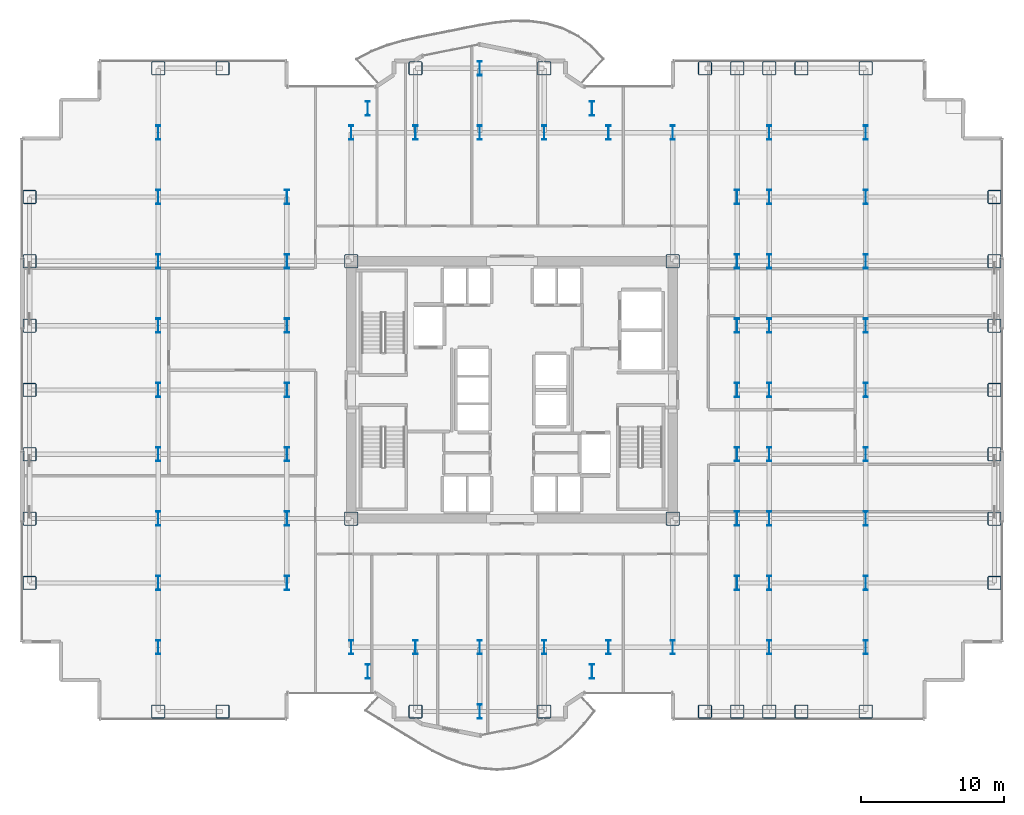
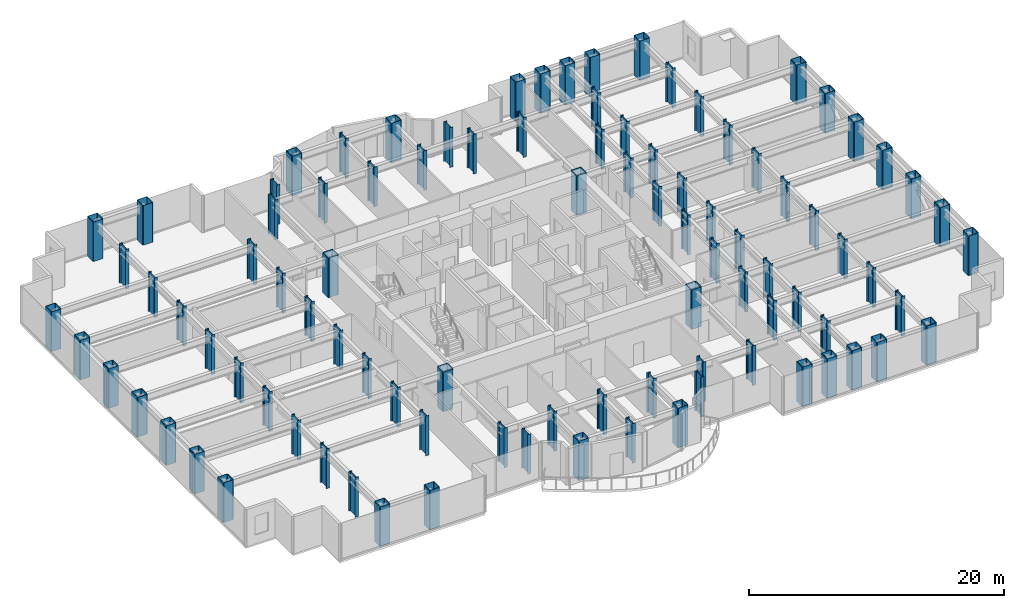
# One storey, part 1 of 29: 95 columns.
"""IFC4 building model written with IfcOpenShell, lengths in metres."""

import ifcopenshell
import ifcopenshell.guid

model = None  # the IFC model being written
_history = None  # IfcOwnerHistory: only IFC2X3 demands one
_inside = {}  # id of a spatial element -> (the spatial element, [elements in it])
_under = {}  # id of a project, library or spatial element -> (it, [spatial elements below it])
_declared = {}  # id of a project -> (the project, [libraries it declares])
_typed = {}  # id of a type object -> (the type object, [elements of that type])
_made_of = {}  # id of a material, layer set ... -> (it, [elements and type objects made of it])


def new_model(schema):
    """Start an empty IFC model of exactly this schema.

    Asked for "IFC4X3", IfcOpenShell would pick the latest addendum, in which some entities
    have other attributes; the version numbers below select the first issue.
    IFC2X3 requires an IfcOwnerHistory on every rooted entity: one is made here for all.
    """
    global model, _history
    if schema == "IFC4X3":
        model = ifcopenshell.file(schema_version=(4, 3, 0, 0))
    else:
        model = ifcopenshell.file(schema=schema)
    _inside.clear()
    _under.clear()
    _declared.clear()
    _typed.clear()
    _made_of.clear()
    _history = None
    if model.schema == "IFC2X3":
        org = make("IfcOrganization", Name="unknown")
        user = make(
            "IfcPersonAndOrganization",
            ThePerson=make("IfcPerson", FamilyName="unknown"),
            TheOrganization=org,
        )
        app = make(
            "IfcApplication",
            ApplicationDeveloper=org,
            Version="unknown",
            ApplicationFullName="unknown",
            ApplicationIdentifier="unknown",
        )
        _history = make(
            "IfcOwnerHistory",
            OwningUser=user,
            OwningApplication=app,
            ChangeAction="ADDED",
            CreationDate=0,
        )
    return model


def make(cls, **values):
    """One entity of the class cls with the attributes given. An attribute that is None is left unset."""
    return model.create_entity(
        cls, **{name: value for name, value in values.items() if value is not None}
    )


def rooted(cls, **values):
    """An entity with a GlobalId (a new one), such as an element, a storey or a relation."""
    return make(cls, GlobalId=ifcopenshell.guid.new(), OwnerHistory=_history, **values)


def si_unit(unit_type, name, prefix=None):
    """IfcSIUnit, for example si_unit("LENGTHUNIT", "METRE", prefix="MILLI")."""
    return make("IfcSIUnit", UnitType=unit_type, Prefix=prefix, Name=name)


def assignment(units):
    """IfcUnitAssignment: the units of a project."""
    return None if units is None else make("IfcUnitAssignment", Units=units)


def point(xyz):
    """IfcCartesianPoint."""
    return None if xyz is None else make("IfcCartesianPoint", Coordinates=xyz)


def direction(xyz):
    """IfcDirection."""
    return None if xyz is None else make("IfcDirection", DirectionRatios=xyz)


def frame(location, z_axis=None, x_axis=None):
    """IfcAxis2Placement3D, a coordinate frame: its origin and axes. An axis left out is left unset."""
    return make(
        "IfcAxis2Placement3D",
        Location=point(location),
        Axis=direction(z_axis),
        RefDirection=direction(x_axis),
    )


def frame_2d(location, x_axis=None):
    """IfcAxis2Placement2D, a coordinate frame in the plane: its origin and x axis."""
    return make(
        "IfcAxis2Placement2D", Location=point(location), RefDirection=direction(x_axis)
    )


def origin():
    """The frame at (0, 0, 0) with its axes left unset."""
    return frame((0.0, 0.0, 0.0))


def origin_2d():
    """The frame at (0, 0) in the plane with its x axis left unset."""
    return frame_2d((0.0, 0.0))


def place(relative_to, where):
    """IfcLocalPlacement: puts the frame where relative to a parent placement (None: the world)."""
    return make(
        "IfcLocalPlacement", PlacementRelTo=relative_to, RelativePlacement=where
    )


def context(
    kind, dimensions, precision=None, world=None, true_north=None, identifier=None
):
    """IfcGeometricRepresentationContext, for example the 3D "Model" context."""
    return make(
        "IfcGeometricRepresentationContext",
        ContextIdentifier=identifier,
        ContextType=kind,
        CoordinateSpaceDimension=dimensions,
        Precision=precision,
        WorldCoordinateSystem=world,
        TrueNorth=true_north,
    )


def subcontext(parent, identifier, kind, view, scale=None):
    """IfcGeometricRepresentationSubContext, for example "Body" below "Model"."""
    return make(
        "IfcGeometricRepresentationSubContext",
        ContextIdentifier=identifier,
        ContextType=kind,
        ParentContext=parent,
        TargetScale=scale,
        TargetView=view,
    )


def project(units=None, contexts=None):
    """IfcProject with its units and contexts."""
    return rooted(
        "IfcProject",
        Name="project",
        RepresentationContexts=contexts,
        UnitsInContext=assignment(units),
    )


def spatial(cls, under=None, at=None, **own):
    """A site, building, storey or space (cls), placed at a placement, below another one or the project."""
    s = rooted(cls, ObjectPlacement=at, **own)
    if under is not None:
        _under.setdefault(under.id(), (under, []))[1].append(s)
    return s


def profile(cls, at=None, kind="AREA", **sizes):
    """A parametric profile (cls). Its sizes go by their IFC names, for example OverallWidth=200.0."""
    return make(cls, ProfileType=kind, Position=at, **sizes)


def hollow_rectangle(**sizes):
    """IfcRectangleHollowProfileDef."""
    return profile("IfcRectangleHollowProfileDef", **sizes)


def i_section(**sizes):
    """IfcIShapeProfileDef."""
    return profile("IfcIShapeProfileDef", **sizes)


def extrude(swept, where, along, depth):
    """IfcExtrudedAreaSolid: the profile swept, set in the frame where, extruded along a direction by depth."""
    return make(
        "IfcExtrudedAreaSolid",
        SweptArea=swept,
        Position=where,
        ExtrudedDirection=direction(along),
        Depth=depth,
    )


def shape(context_of_items, identifier, shape_type, items):
    """IfcShapeRepresentation: the items that make up one representation, for example the "Body"."""
    return make(
        "IfcShapeRepresentation",
        ContextOfItems=context_of_items,
        RepresentationIdentifier=identifier,
        RepresentationType=shape_type,
        Items=items,
    )


def source(mapping_origin, context_of_items, identifier, shape_type, items):
    """IfcRepresentationMap: a shape defined once, which mapped items show again and again."""
    return make(
        "IfcRepresentationMap",
        MappingOrigin=mapping_origin,
        MappedRepresentation=shape(context_of_items, identifier, shape_type, items),
    )


def transform(
    local_origin,
    x_axis=None,
    y_axis=None,
    z_axis=None,
    scale=None,
    scale2=None,
    scale3=None,
    uniform=True,
):
    """IfcCartesianTransformationOperator3D, or its non-uniform kind. x_axis, y_axis, z_axis: its Axis1, 2, 3."""
    if uniform:
        return make(
            "IfcCartesianTransformationOperator3D",
            Axis1=direction(x_axis),
            Axis2=direction(y_axis),
            LocalOrigin=point(local_origin),
            Scale=scale,
            Axis3=direction(z_axis),
        )
    return make(
        "IfcCartesianTransformationOperator3DnonUniform",
        Axis1=direction(x_axis),
        Axis2=direction(y_axis),
        LocalOrigin=point(local_origin),
        Scale=scale,
        Axis3=direction(z_axis),
        Scale2=scale2,
        Scale3=scale3,
    )


def mapped(mapping_source, mapping_target):
    """IfcMappedItem: shows the shape of a source again, moved by a transform."""
    return make(
        "IfcMappedItem", MappingSource=mapping_source, MappingTarget=mapping_target
    )


def material(Name=None, Category=None):
    """IfcMaterial."""
    return make("IfcMaterial", Name=Name, Category=Category)


def material_profile(
    of_material, cross_section, Name=None, Category=None, Priority=None
):
    """IfcMaterialProfile: a cross section and its material."""
    return make(
        "IfcMaterialProfile",
        Name=Name,
        Material=of_material,
        Profile=cross_section,
        Priority=Priority,
        Category=Category,
    )


def profile_set(profiles, Name=None, composite=None):
    """IfcMaterialProfileSet."""
    return make(
        "IfcMaterialProfileSet",
        Name=Name,
        MaterialProfiles=profiles,
        CompositeProfile=composite,
    )


def made_of(thing, what):
    """Note that an element or type object is made of a material, layer set ...; save() writes the relation."""
    if what is not None:
        _made_of.setdefault(what.id(), (what, []))[1].append(thing)
    return thing


def type_object(cls, material=None, **own):
    """A type object (cls), such as IfcWallType, which elements share."""
    return made_of(rooted(cls, **own), material)


def element(
    cls,
    number,
    at=None,
    inside=None,
    cuts=None,
    type_object=None,
    material=None,
    context=None,
    identifier="Body",
    shape_type=None,
    held_by="IfcProductDefinitionShape",
    body=None,
    shapes=None,
    **own,
):
    """One element of the class cls, such as IfcWall. Its Tag is "e" and its number.

    at: its placement. inside: the storey or other place that contains it. cuts: it is an
    opening in that element (IfcRelVoidsElement). A single representation is given by context,
    identifier, shape_type and body (its items); several are given by shapes. held_by: the class
    of the entity that holds the representations. save() writes the other relations.
    """
    e = rooted(cls, Tag="e%d" % number, ObjectPlacement=at, **own)
    if body is not None:
        shapes = [shape(context, identifier, shape_type, body)]
    if shapes is not None:
        e.Representation = make(held_by, Representations=shapes)
    if inside is not None:
        _inside.setdefault(inside.id(), (inside, []))[1].append(e)
    if cuts is not None:
        rooted(
            "IfcRelVoidsElement", RelatingBuildingElement=cuts, RelatedOpeningElement=e
        )
    if type_object is not None:
        _typed.setdefault(type_object.id(), (type_object, []))[1].append(e)
    return made_of(e, material)


def aggregate(whole, parts):
    """IfcRelAggregates: a whole, such as a stair, and the parts it consists of."""
    return rooted("IfcRelAggregates", RelatingObject=whole, RelatedObjects=parts)


def save(model, path):
    """Write the relations noted so far, then the file.

    IfcRelAggregates (storeys below a building ...), IfcRelContainedInSpatialStructure (elements
    in a storey), IfcRelDefinesByType, IfcRelAssociatesMaterial and IfcRelDeclares: one each for
    every whole, place, type object, material and project.
    """
    for whole, parts in _under.values():
        aggregate(whole, parts)
    for where, things in _inside.values():
        rooted(
            "IfcRelContainedInSpatialStructure",
            RelatedElements=things,
            RelatingStructure=where,
        )
    for kind, things in _typed.values():
        rooted("IfcRelDefinesByType", RelatedObjects=things, RelatingType=kind)
    for what, things in _made_of.values():
        rooted("IfcRelAssociatesMaterial", RelatedObjects=things, RelatingMaterial=what)
    for by, libraries in _declared.values():
        rooted("IfcRelDeclares", RelatingContext=by, RelatedDefinitions=libraries)
    model.write(path)


model = new_model("IFC4")

# Units and contexts
model_context = context("Model", 3, precision=1e-05, world=origin(), true_north=direction((0.0, 1.0)))
body_context = subcontext(model_context, "Body", "Model", "MODEL_VIEW")
ifc_project = project(units=[si_unit("LENGTHUNIT", "METRE"), si_unit("AREAUNIT", "SQUARE_METRE"), si_unit("VOLUMEUNIT", "CUBIC_METRE"), si_unit("PLANEANGLEUNIT", "RADIAN"), si_unit("MASSUNIT", "GRAM", prefix="KILO")], contexts=[model_context])

# Site, building, storey
site_placement = place(None, origin())
site = spatial("IfcSite", under=ifc_project, at=site_placement, CompositionType="ELEMENT")
building_placement = place(site_placement, origin())
building = spatial("IfcBuilding", under=site, at=building_placement, Name="Nefas-Gora Pilgrimage Tower", CompositionType="ELEMENT")
storey_placement = place(building_placement, frame((0.0, 0.0, 55.800048828125)))
storey = spatial("IfcBuildingStorey", under=building, at=storey_placement, Name="L12", CompositionType="ELEMENT", Elevation=55.800048828125)

# Columns
ifc_material = material(Name="Steel S460", Category="steel")
ifc_material_profile_1 = material_profile(ifc_material, hollow_rectangle(XDim=0.949951171875, YDim=0.949951171875, WallThickness=0.044921875, InnerFilletRadius=0.044921875, OuterFilletRadius=0.090087890625, at=origin_2d()), Name="BOX 950x950x45")
ifc_profile_set_1 = profile_set([ifc_material_profile_1], Name="Steel S460")
column_type_1 = type_object("IfcColumnType", Name="COL-TUBE-950", PredefinedType="COLUMN", material=ifc_profile_set_1)
shared_shape_1 = source(origin(), body_context, "Body", "SweptSolid", [
    extrude(hollow_rectangle(XDim=0.949951171875, YDim=0.949951171875, WallThickness=0.044921875, InnerFilletRadius=0.044921875, OuterFilletRadius=0.090087890625, at=origin_2d()), origin(), (0.0, 0.0, 1.0), 3.800048828125),
])
for number, where, z_axis, x_axis, name in (
    (1, (-33.75, -13.5, 0.0), (0.0, 0.0, 1.0), (1.0, 0.0, 0.0), "L12 Tower Column C-Z1.1"),
    (2, (-33.75, -9.0, 0.0), (0.0, 0.0, 1.0), (1.0, 0.0, 0.0), "L12 Tower Column C-Z1.2"),
    (3, (-33.75, -4.5, 0.0), (0.0, 0.0, 1.0), (1.0, 0.0, 0.0), "L12 Tower Column C-Z1.3"),
    (4, (-33.75, 0.0, 0.0), (0.0, 0.0, 1.0), (1.0, 0.0, 0.0), "L12 Tower Column C-Z1.4"),
    (5, (-33.75, 4.5, 0.0), (0.0, 0.0, 1.0), (1.0, 0.0, 0.0), "L12 Tower Column C-Z1.5"),
    (6, (-33.75, 9.0, 0.0), (0.0, 0.0, 1.0), (1.0, 0.0, 0.0), "L12 Tower Column C-Z1.6"),
    (7, (-33.75, 13.5, 0.0), (0.0, 0.0, 1.0), (1.0, 0.0, 0.0), "L12 Tower Column C-Z1.7"),
    (8, (-24.75, -22.5, 0.0), (0.0, 0.0, 1.0), (1.0, 0.0, 0.0), "L12 Tower Column C-Z1.8"),
    (9, (-24.75, 22.5, 0.0), (0.0, 0.0, 1.0), (1.0, 0.0, 0.0), "L12 Tower Column C-Z1.18"),
    (10, (-20.25, -22.5, 0.0), (0.0, 0.0, 1.0), (1.0, 0.0, 0.0), "L12 Tower Column C-Z1.19"),
    (11, (-20.25, 22.5, 0.0), (0.0, 0.0, 1.0), (1.0, 0.0, 0.0), "L12 Tower Column C-Z1.20"),
    (12, (-6.75, -22.5, 0.0), (0.0, 0.0, 1.0), (1.0, 0.0, 0.0), "L12 Tower Column C-Z1.34"),
    (13, (-6.75, 22.5, 0.0), (0.0, 0.0, 1.0), (1.0, 0.0, 0.0), "L12 Tower Column C-Z1.37"),
    (14, (2.25, -22.5, 0.0), (0.0, 0.0, 1.0), (1.0, 0.0, 0.0), "L12 Tower Column C-Z1.42"),
    (15, (2.25, 22.5, 0.0), (0.0, 0.0, 1.0), (1.0, 0.0, 0.0), "L12 Tower Column C-Z1.45"),
    (16, (13.5, -22.5, 0.0), (0.0, 0.0, 1.0), (1.0, 0.0, 0.0), "L12 Tower Column C-Z1.54"),
    (17, (13.5, 22.5, 0.0), (0.0, 0.0, 1.0), (1.0, 0.0, 0.0), "L12 Tower Column C-Z1.55"),
    (18, (15.75, -22.5, 0.0), (0.0, 0.0, 1.0), (1.0, 0.0, 0.0), "L12 Tower Column C-Z1.56"),
    (19, (15.75, 22.5, 0.0), (0.0, 0.0, 1.0), (1.0, 0.0, 0.0), "L12 Tower Column C-Z1.64"),
    (20, (18.0, -22.5, 0.0), (0.0, 0.0, 1.0), (1.0, 0.0, 0.0), "L12 Tower Column C-Z1.65"),
    (21, (18.0, 22.5, 0.0), (0.0, 0.0, 1.0), (1.0, 0.0, 0.0), "L12 Tower Column C-Z1.75"),
    (22, (20.25, -22.5, 0.0), (0.0, 0.0, 1.0), (1.0, 0.0, 0.0), "L12 Tower Column C-Z1.76"),
    (23, (20.25, 22.5, 0.0), (0.0, 0.0, 1.0), (1.0, 0.0, 0.0), "L12 Tower Column C-Z1.77"),
    (24, (24.75, -22.5, 0.0), (0.0, 0.0, 1.0), (1.0, 0.0, 0.0), "L12 Tower Column C-Z1.78"),
    (25, (24.75, 22.5, 0.0), (0.0, 0.0, 1.0), (1.0, 0.0, 0.0), "L12 Tower Column C-Z1.88"),
    (26, (33.75, -13.5, 0.0), (0.0, 0.0, 1.0), (1.0, 0.0, 0.0), "L12 Tower Column C-Z1.89"),
    (27, (33.75, -9.0, 0.0), (0.0, 0.0, 1.0), (1.0, 0.0, 0.0), "L12 Tower Column C-Z1.90"),
    (28, (33.75, -4.5, 0.0), (0.0, 0.0, 1.0), (1.0, 0.0, 0.0), "L12 Tower Column C-Z1.91"),
    (29, (33.75, 0.0, 0.0), (0.0, 0.0, 1.0), (1.0, 0.0, 0.0), "L12 Tower Column C-Z1.92"),
    (30, (33.75, 4.5, 0.0), (0.0, 0.0, 1.0), (1.0, 0.0, 0.0), "L12 Tower Column C-Z1.93"),
    (31, (33.75, 9.0, 0.0), (0.0, 0.0, 1.0), (1.0, 0.0, 0.0), "L12 Tower Column C-Z1.94"),
    (32, (33.75, 13.5, 0.0), (0.0, 0.0, 1.0), (1.0, 0.0, 0.0), "L12 Tower Column C-Z1.95"),
):
    element("IfcColumn", number, at=place(storey_placement, frame(where, z_axis=z_axis, x_axis=x_axis)), inside=storey, type_object=column_type_1, Name=name, PredefinedType="COLUMN", context=body_context, shape_type="MappedRepresentation", body=[
        mapped(shared_shape_1, transform((0.0, 0.0, 0.0), x_axis=(1.0, 0.0, 0.0), y_axis=(0.0, 1.0, 0.0), z_axis=(0.0, 0.0, 1.0), scale=1.0)),
    ])
ifc_material_profile_2 = material_profile(ifc_material, i_section(OverallWidth=0.302001953125, OverallDepth=1.008056640625, WebThickness=0.02099609375, FlangeThickness=0.0400390625, FilletRadius=0.030029296875, at=origin_2d()), Name="HEM 1000")
ifc_profile_set_2 = profile_set([ifc_material_profile_2], Name="Steel S460")
column_type_2 = type_object("IfcColumnType", Name="COL-WEB-HEM1000", PredefinedType="COLUMN", material=ifc_profile_set_2)
shared_shape_2 = source(origin(), body_context, "Body", "SweptSolid", [
    extrude(i_section(OverallWidth=0.302001953125, OverallDepth=1.008056640625, WebThickness=0.02099609375, FlangeThickness=0.0400390625, FilletRadius=0.030029296875, at=origin_2d()), origin(), (0.0, 0.0, 1.0), 3.800048828125),
])
for number, where, z_axis, x_axis, name in (
    (33, (-24.75, -18.0, 0.0), (0.0, 0.0, 1.0), (1.0, 0.0, 0.0), "L12 Tower Column CW-01.9"),
    (34, (-24.75, -13.5, 0.0), (0.0, 0.0, 1.0), (1.0, 0.0, 0.0), "L12 Tower Column CW-01.10"),
    (35, (-24.75, -9.0, 0.0), (0.0, 0.0, 1.0), (1.0, 0.0, 0.0), "L12 Tower Column CW-01.11"),
    (36, (-24.75, -4.5, 0.0), (0.0, 0.0, 1.0), (1.0, 0.0, 0.0), "L12 Tower Column CW-01.12"),
    (37, (-24.75, 0.0, 0.0), (0.0, 0.0, 1.0), (1.0, 0.0, 0.0), "L12 Tower Column CW-01.13"),
    (38, (-24.75, 4.5, 0.0), (0.0, 0.0, 1.0), (1.0, 0.0, 0.0), "L12 Tower Column CW-01.14"),
    (39, (-24.75, 9.0, 0.0), (0.0, 0.0, 1.0), (1.0, 0.0, 0.0), "L12 Tower Column CW-01.15"),
    (40, (-24.75, 13.5, 0.0), (0.0, 0.0, 1.0), (1.0, 0.0, 0.0), "L12 Tower Column CW-01.16"),
    (41, (-24.75, 18.0, 0.0), (0.0, 0.0, 1.0), (1.0, 0.0, 0.0), "L12 Tower Column CW-01.17"),
    (42, (-15.75, -13.5, 0.0), (0.0, 0.0, 1.0), (1.0, 0.0, 0.0), "L12 Tower Column CW-01.21"),
    (43, (-15.75, -9.0, 0.0), (0.0, 0.0, 1.0), (1.0, 0.0, 0.0), "L12 Tower Column CW-01.22"),
    (44, (-15.75, -4.5, 0.0), (0.0, 0.0, 1.0), (1.0, 0.0, 0.0), "L12 Tower Column CW-01.23"),
    (45, (-15.75, 0.0, 0.0), (0.0, 0.0, 1.0), (1.0, 0.0, 0.0), "L12 Tower Column CW-01.24"),
    (46, (-15.75, 4.5, 0.0), (0.0, 0.0, 1.0), (1.0, 0.0, 0.0), "L12 Tower Column CW-01.25"),
    (47, (-15.75, 9.0, 0.0), (0.0, 0.0, 1.0), (1.0, 0.0, 0.0), "L12 Tower Column CW-01.26"),
    (48, (-15.75, 13.5, 0.0), (0.0, 0.0, 1.0), (1.0, 0.0, 0.0), "L12 Tower Column CW-01.27"),
    (49, (-11.25, -18.0, 0.0), (0.0, 0.0, 1.0), (1.0, 0.0, 0.0), "L12 Tower Column CW-01.28"),
    (50, (-11.25, 18.0, 0.0), (0.0, 0.0, 1.0), (1.0, 0.0, 0.0), "L12 Tower Column CW-01.31"),
    (51, (-10.091064453125, -19.696044921875, 0.0), (0.0, 0.0, 1.0), (1.0, 0.0, 0.0), "L12 Tower Column CW-01.32"),
    (52, (-10.091064453125, 19.696044921875, 0.0), (0.0, 0.0, 1.0), (1.0, 0.0, 0.0), "L12 Tower Column CW-01.33"),
    (53, (-6.75, -18.0, 0.0), (0.0, 0.0, 1.0), (1.0, 0.0, 0.0), "L12 Tower Column CW-01.35"),
    (54, (-6.75, 18.0, 0.0), (0.0, 0.0, 1.0), (1.0, 0.0, 0.0), "L12 Tower Column CW-01.36"),
    (55, (-2.25, -22.5, 0.0), (0.0, 0.0, 1.0), (1.0, 0.0, 0.0), "L12 Tower Column CW-01.38"),
    (56, (-2.25, -18.0, 0.0), (0.0, 0.0, 1.0), (1.0, 0.0, 0.0), "L12 Tower Column CW-01.39"),
    (57, (-2.25, 18.0, 0.0), (0.0, 0.0, 1.0), (1.0, 0.0, 0.0), "L12 Tower Column CW-01.40"),
    (58, (-2.25, 22.5, 0.0), (0.0, 0.0, 1.0), (1.0, 0.0, 0.0), "L12 Tower Column CW-01.41"),
    (59, (2.25, -18.0, 0.0), (0.0, 0.0, 1.0), (1.0, 0.0, 0.0), "L12 Tower Column CW-01.43"),
    (60, (2.25, 18.0, 0.0), (0.0, 0.0, 1.0), (1.0, 0.0, 0.0), "L12 Tower Column CW-01.44"),
    (61, (5.591064453125, -19.696044921875, 0.0), (0.0, 0.0, 1.0), (1.0, 0.0, 0.0), "L12 Tower Column CW-01.46"),
    (62, (5.591064453125, 19.696044921875, 0.0), (0.0, 0.0, 1.0), (1.0, 0.0, 0.0), "L12 Tower Column CW-01.47"),
    (63, (6.75, -18.0, 0.0), (0.0, 0.0, 1.0), (1.0, 0.0, 0.0), "L12 Tower Column CW-01.48"),
    (64, (6.75, 18.0, 0.0), (0.0, 0.0, 1.0), (1.0, 0.0, 0.0), "L12 Tower Column CW-01.49"),
    (65, (11.25, -18.0, 0.0), (0.0, 0.0, 1.0), (1.0, 0.0, 0.0), "L12 Tower Column CW-01.50"),
    (66, (11.25, 18.0, 0.0), (0.0, 0.0, 1.0), (1.0, 0.0, 0.0), "L12 Tower Column CW-01.53"),
    (67, (15.75, -13.5, 0.0), (0.0, 0.0, 1.0), (1.0, 0.0, 0.0), "L12 Tower Column CW-01.57"),
    (68, (15.75, -9.0, 0.0), (0.0, 0.0, 1.0), (1.0, 0.0, 0.0), "L12 Tower Column CW-01.58"),
    (69, (15.75, -4.5, 0.0), (0.0, 0.0, 1.0), (1.0, 0.0, 0.0), "L12 Tower Column CW-01.59"),
    (70, (15.75, 0.0, 0.0), (0.0, 0.0, 1.0), (1.0, 0.0, 0.0), "L12 Tower Column CW-01.60"),
    (71, (15.75, 4.5, 0.0), (0.0, 0.0, 1.0), (1.0, 0.0, 0.0), "L12 Tower Column CW-01.61"),
    (72, (15.75, 9.0, 0.0), (0.0, 0.0, 1.0), (1.0, 0.0, 0.0), "L12 Tower Column CW-01.62"),
    (73, (15.75, 13.5, 0.0), (0.0, 0.0, 1.0), (1.0, 0.0, 0.0), "L12 Tower Column CW-01.63"),
    (74, (18.0, -18.0, 0.0), (0.0, 0.0, 1.0), (1.0, 0.0, 0.0), "L12 Tower Column CW-01.66"),
    (75, (18.0, -13.5, 0.0), (0.0, 0.0, 1.0), (1.0, 0.0, 0.0), "L12 Tower Column CW-01.67"),
    (76, (18.0, -9.0, 0.0), (0.0, 0.0, 1.0), (1.0, 0.0, 0.0), "L12 Tower Column CW-01.68"),
    (77, (18.0, -4.5, 0.0), (0.0, 0.0, 1.0), (1.0, 0.0, 0.0), "L12 Tower Column CW-01.69"),
    (78, (18.0, 0.0, 0.0), (0.0, 0.0, 1.0), (1.0, 0.0, 0.0), "L12 Tower Column CW-01.70"),
    (79, (18.0, 4.5, 0.0), (0.0, 0.0, 1.0), (1.0, 0.0, 0.0), "L12 Tower Column CW-01.71"),
    (80, (18.0, 9.0, 0.0), (0.0, 0.0, 1.0), (1.0, 0.0, 0.0), "L12 Tower Column CW-01.72"),
    (81, (18.0, 13.5, 0.0), (0.0, 0.0, 1.0), (1.0, 0.0, 0.0), "L12 Tower Column CW-01.73"),
    (82, (18.0, 18.0, 0.0), (0.0, 0.0, 1.0), (1.0, 0.0, 0.0), "L12 Tower Column CW-01.74"),
    (83, (24.75, -18.0, 0.0), (0.0, 0.0, 1.0), (1.0, 0.0, 0.0), "L12 Tower Column CW-01.79"),
    (84, (24.75, -13.5, 0.0), (0.0, 0.0, 1.0), (1.0, 0.0, 0.0), "L12 Tower Column CW-01.80"),
    (85, (24.75, -9.0, 0.0), (0.0, 0.0, 1.0), (1.0, 0.0, 0.0), "L12 Tower Column CW-01.81"),
    (86, (24.75, -4.5, 0.0), (0.0, 0.0, 1.0), (1.0, 0.0, 0.0), "L12 Tower Column CW-01.82"),
    (87, (24.75, 0.0, 0.0), (0.0, 0.0, 1.0), (1.0, 0.0, 0.0), "L12 Tower Column CW-01.83"),
    (88, (24.75, 4.5, 0.0), (0.0, 0.0, 1.0), (1.0, 0.0, 0.0), "L12 Tower Column CW-01.84"),
    (89, (24.75, 9.0, 0.0), (0.0, 0.0, 1.0), (1.0, 0.0, 0.0), "L12 Tower Column CW-01.85"),
    (90, (24.75, 13.5, 0.0), (0.0, 0.0, 1.0), (1.0, 0.0, 0.0), "L12 Tower Column CW-01.86"),
    (91, (24.75, 18.0, 0.0), (0.0, 0.0, 1.0), (1.0, 0.0, 0.0), "L12 Tower Column CW-01.87"),
):
    element("IfcColumn", number, at=place(storey_placement, frame(where, z_axis=z_axis, x_axis=x_axis)), inside=storey, type_object=column_type_2, Name=name, PredefinedType="COLUMN", context=body_context, shape_type="MappedRepresentation", body=[
        mapped(shared_shape_2, transform((0.0, 0.0, 0.0), x_axis=(1.0, 0.0, 0.0), y_axis=(0.0, 1.0, 0.0), z_axis=(0.0, 0.0, 1.0), scale=1.0)),
    ])
ifc_material_profile_3 = material_profile(ifc_material, hollow_rectangle(XDim=0.949951171875, YDim=0.949951171875, WallThickness=0.044921875, InnerFilletRadius=0.044921875, OuterFilletRadius=0.090087890625, at=origin_2d()), Name="BOX 950x950x45")
ifc_profile_set_3 = profile_set([ifc_material_profile_3], Name="Steel S460")
column_type_3 = type_object("IfcColumnType", Name="COL-CORE-950", PredefinedType="COLUMN", material=ifc_profile_set_3)
shared_shape_3 = source(origin(), body_context, "Body", "SweptSolid", [
    extrude(hollow_rectangle(XDim=0.949951171875, YDim=0.949951171875, WallThickness=0.044921875, InnerFilletRadius=0.044921875, OuterFilletRadius=0.090087890625, at=origin_2d()), origin(), (0.0, 0.0, 1.0), 3.800048828125),
])
for number, where, z_axis, x_axis, name in (
    (92, (-11.25, -9.0, 0.0), (0.0, 0.0, 1.0), (1.0, 0.0, 0.0), "L12 Tower Column CC-Z1.29"),
    (93, (-11.25, 9.0, 0.0), (0.0, 0.0, 1.0), (1.0, 0.0, 0.0), "L12 Tower Column CC-Z1.30"),
    (94, (11.25, -9.0, 0.0), (0.0, 0.0, 1.0), (1.0, 0.0, 0.0), "L12 Tower Column CC-Z1.51"),
    (95, (11.25, 9.0, 0.0), (0.0, 0.0, 1.0), (1.0, 0.0, 0.0), "L12 Tower Column CC-Z1.52"),
):
    element("IfcColumn", number, at=place(storey_placement, frame(where, z_axis=z_axis, x_axis=x_axis)), inside=storey, type_object=column_type_3, Name=name, PredefinedType="COLUMN", context=body_context, shape_type="MappedRepresentation", body=[
        mapped(shared_shape_3, transform((0.0, 0.0, 0.0), x_axis=(1.0, 0.0, 0.0), y_axis=(0.0, 1.0, 0.0), z_axis=(0.0, 0.0, 1.0), scale=1.0)),
    ])

save(model, "model.ifc")
